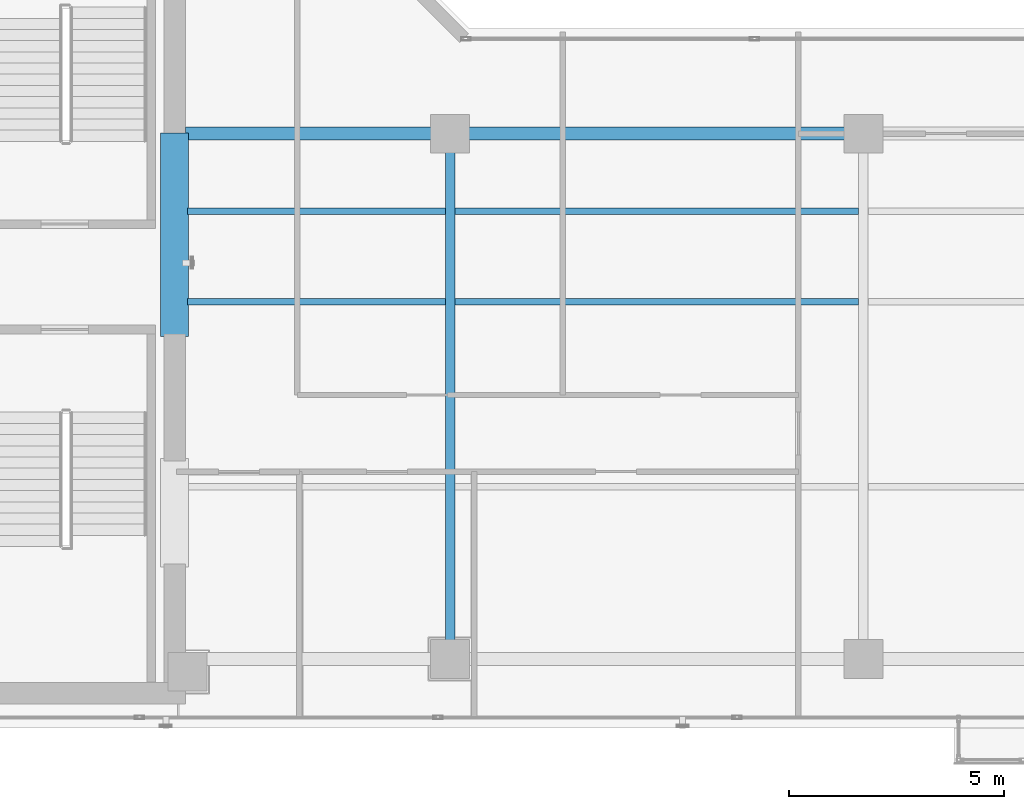
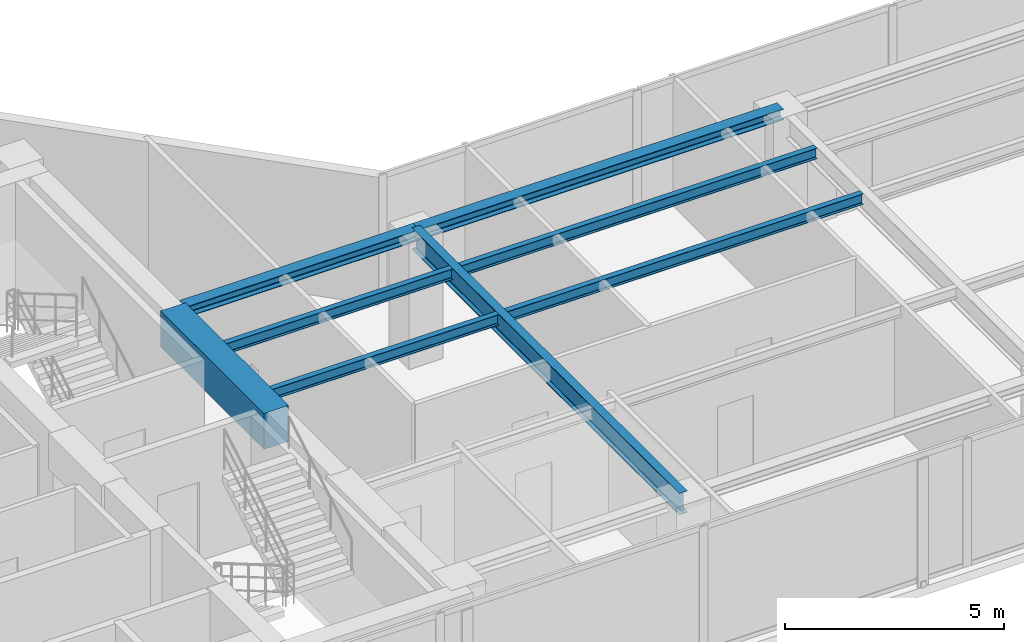
# One storey, part 5 of 23: 8 beams.
"""IFC4 building model written with IfcOpenShell, lengths in metres."""

import ifcopenshell
import ifcopenshell.guid

model = None  # the IFC model being written
_history = None  # IfcOwnerHistory: only IFC2X3 demands one
_inside = {}  # id of a spatial element -> (the spatial element, [elements in it])
_under = {}  # id of a project, library or spatial element -> (it, [spatial elements below it])
_declared = {}  # id of a project -> (the project, [libraries it declares])
_typed = {}  # id of a type object -> (the type object, [elements of that type])
_made_of = {}  # id of a material, layer set ... -> (it, [elements and type objects made of it])


def new_model(schema):
    """Start an empty IFC model of exactly this schema.

    Asked for "IFC4X3", IfcOpenShell would pick the latest addendum, in which some entities
    have other attributes; the version numbers below select the first issue.
    IFC2X3 requires an IfcOwnerHistory on every rooted entity: one is made here for all.
    """
    global model, _history
    if schema == "IFC4X3":
        model = ifcopenshell.file(schema_version=(4, 3, 0, 0))
    else:
        model = ifcopenshell.file(schema=schema)
    _inside.clear()
    _under.clear()
    _declared.clear()
    _typed.clear()
    _made_of.clear()
    _history = None
    if model.schema == "IFC2X3":
        org = make("IfcOrganization", Name="unknown")
        user = make(
            "IfcPersonAndOrganization",
            ThePerson=make("IfcPerson", FamilyName="unknown"),
            TheOrganization=org,
        )
        app = make(
            "IfcApplication",
            ApplicationDeveloper=org,
            Version="unknown",
            ApplicationFullName="unknown",
            ApplicationIdentifier="unknown",
        )
        _history = make(
            "IfcOwnerHistory",
            OwningUser=user,
            OwningApplication=app,
            ChangeAction="ADDED",
            CreationDate=0,
        )
    return model


def make(cls, **values):
    """One entity of the class cls with the attributes given. An attribute that is None is left unset."""
    return model.create_entity(
        cls, **{name: value for name, value in values.items() if value is not None}
    )


def rooted(cls, **values):
    """An entity with a GlobalId (a new one), such as an element, a storey or a relation."""
    return make(cls, GlobalId=ifcopenshell.guid.new(), OwnerHistory=_history, **values)


def si_unit(unit_type, name, prefix=None):
    """IfcSIUnit, for example si_unit("LENGTHUNIT", "METRE", prefix="MILLI")."""
    return make("IfcSIUnit", UnitType=unit_type, Prefix=prefix, Name=name)


def assignment(units):
    """IfcUnitAssignment: the units of a project."""
    return None if units is None else make("IfcUnitAssignment", Units=units)


def point(xyz):
    """IfcCartesianPoint."""
    return None if xyz is None else make("IfcCartesianPoint", Coordinates=xyz)


def direction(xyz):
    """IfcDirection."""
    return None if xyz is None else make("IfcDirection", DirectionRatios=xyz)


def frame(location, z_axis=None, x_axis=None):
    """IfcAxis2Placement3D, a coordinate frame: its origin and axes. An axis left out is left unset."""
    return make(
        "IfcAxis2Placement3D",
        Location=point(location),
        Axis=direction(z_axis),
        RefDirection=direction(x_axis),
    )


def frame_2d(location, x_axis=None):
    """IfcAxis2Placement2D, a coordinate frame in the plane: its origin and x axis."""
    return make(
        "IfcAxis2Placement2D", Location=point(location), RefDirection=direction(x_axis)
    )


def origin():
    """The frame at (0, 0, 0) with its axes left unset."""
    return frame((0.0, 0.0, 0.0))


def origin_2d():
    """The frame at (0, 0) in the plane with its x axis left unset."""
    return frame_2d((0.0, 0.0))


def place(relative_to, where):
    """IfcLocalPlacement: puts the frame where relative to a parent placement (None: the world)."""
    return make(
        "IfcLocalPlacement", PlacementRelTo=relative_to, RelativePlacement=where
    )


def context(
    kind, dimensions, precision=None, world=None, true_north=None, identifier=None
):
    """IfcGeometricRepresentationContext, for example the 3D "Model" context."""
    return make(
        "IfcGeometricRepresentationContext",
        ContextIdentifier=identifier,
        ContextType=kind,
        CoordinateSpaceDimension=dimensions,
        Precision=precision,
        WorldCoordinateSystem=world,
        TrueNorth=true_north,
    )


def subcontext(parent, identifier, kind, view, scale=None):
    """IfcGeometricRepresentationSubContext, for example "Body" below "Model"."""
    return make(
        "IfcGeometricRepresentationSubContext",
        ContextIdentifier=identifier,
        ContextType=kind,
        ParentContext=parent,
        TargetScale=scale,
        TargetView=view,
    )


def project(units=None, contexts=None):
    """IfcProject with its units and contexts."""
    return rooted(
        "IfcProject",
        Name="project",
        RepresentationContexts=contexts,
        UnitsInContext=assignment(units),
    )


def spatial(cls, under=None, at=None, **own):
    """A site, building, storey or space (cls), placed at a placement, below another one or the project."""
    s = rooted(cls, ObjectPlacement=at, **own)
    if under is not None:
        _under.setdefault(under.id(), (under, []))[1].append(s)
    return s


def profile(cls, at=None, kind="AREA", **sizes):
    """A parametric profile (cls). Its sizes go by their IFC names, for example OverallWidth=200.0."""
    return make(cls, ProfileType=kind, Position=at, **sizes)


def rectangle(**sizes):
    """IfcRectangleProfileDef."""
    return profile("IfcRectangleProfileDef", **sizes)


def i_section(**sizes):
    """IfcIShapeProfileDef."""
    return profile("IfcIShapeProfileDef", **sizes)


def extrude(swept, where, along, depth):
    """IfcExtrudedAreaSolid: the profile swept, set in the frame where, extruded along a direction by depth."""
    return make(
        "IfcExtrudedAreaSolid",
        SweptArea=swept,
        Position=where,
        ExtrudedDirection=direction(along),
        Depth=depth,
    )


def shape(context_of_items, identifier, shape_type, items):
    """IfcShapeRepresentation: the items that make up one representation, for example the "Body"."""
    return make(
        "IfcShapeRepresentation",
        ContextOfItems=context_of_items,
        RepresentationIdentifier=identifier,
        RepresentationType=shape_type,
        Items=items,
    )


def material(Name=None, Category=None):
    """IfcMaterial."""
    return make("IfcMaterial", Name=Name, Category=Category)


def material_profile(
    of_material, cross_section, Name=None, Category=None, Priority=None
):
    """IfcMaterialProfile: a cross section and its material."""
    return make(
        "IfcMaterialProfile",
        Name=Name,
        Material=of_material,
        Profile=cross_section,
        Priority=Priority,
        Category=Category,
    )


def profile_set(profiles, Name=None, composite=None):
    """IfcMaterialProfileSet."""
    return make(
        "IfcMaterialProfileSet",
        Name=Name,
        MaterialProfiles=profiles,
        CompositeProfile=composite,
    )


def made_of(thing, what):
    """Note that an element or type object is made of a material, layer set ...; save() writes the relation."""
    if what is not None:
        _made_of.setdefault(what.id(), (what, []))[1].append(thing)
    return thing


def type_object(cls, material=None, **own):
    """A type object (cls), such as IfcWallType, which elements share."""
    return made_of(rooted(cls, **own), material)


def element(
    cls,
    number,
    at=None,
    inside=None,
    cuts=None,
    type_object=None,
    material=None,
    context=None,
    identifier="Body",
    shape_type=None,
    held_by="IfcProductDefinitionShape",
    body=None,
    shapes=None,
    **own,
):
    """One element of the class cls, such as IfcWall. Its Tag is "e" and its number.

    at: its placement. inside: the storey or other place that contains it. cuts: it is an
    opening in that element (IfcRelVoidsElement). A single representation is given by context,
    identifier, shape_type and body (its items); several are given by shapes. held_by: the class
    of the entity that holds the representations. save() writes the other relations.
    """
    e = rooted(cls, Tag="e%d" % number, ObjectPlacement=at, **own)
    if body is not None:
        shapes = [shape(context, identifier, shape_type, body)]
    if shapes is not None:
        e.Representation = make(held_by, Representations=shapes)
    if inside is not None:
        _inside.setdefault(inside.id(), (inside, []))[1].append(e)
    if cuts is not None:
        rooted(
            "IfcRelVoidsElement", RelatingBuildingElement=cuts, RelatedOpeningElement=e
        )
    if type_object is not None:
        _typed.setdefault(type_object.id(), (type_object, []))[1].append(e)
    return made_of(e, material)


def aggregate(whole, parts):
    """IfcRelAggregates: a whole, such as a stair, and the parts it consists of."""
    return rooted("IfcRelAggregates", RelatingObject=whole, RelatedObjects=parts)


def save(model, path):
    """Write the relations noted so far, then the file.

    IfcRelAggregates (storeys below a building ...), IfcRelContainedInSpatialStructure (elements
    in a storey), IfcRelDefinesByType, IfcRelAssociatesMaterial and IfcRelDeclares: one each for
    every whole, place, type object, material and project.
    """
    for whole, parts in _under.values():
        aggregate(whole, parts)
    for where, things in _inside.values():
        rooted(
            "IfcRelContainedInSpatialStructure",
            RelatedElements=things,
            RelatingStructure=where,
        )
    for kind, things in _typed.values():
        rooted("IfcRelDefinesByType", RelatedObjects=things, RelatingType=kind)
    for what, things in _made_of.values():
        rooted("IfcRelAssociatesMaterial", RelatedObjects=things, RelatingMaterial=what)
    for by, libraries in _declared.values():
        rooted("IfcRelDeclares", RelatingContext=by, RelatedDefinitions=libraries)
    model.write(path)


model = new_model("IFC4")

# Units and contexts
model_context = context("Model", 3, precision=1e-05, world=origin(), true_north=direction((0.0, 1.0)))
body_context = subcontext(model_context, "Body", "Model", "MODEL_VIEW")
ifc_project = project(units=[si_unit("LENGTHUNIT", "METRE"), si_unit("AREAUNIT", "SQUARE_METRE"), si_unit("VOLUMEUNIT", "CUBIC_METRE"), si_unit("PLANEANGLEUNIT", "RADIAN"), si_unit("MASSUNIT", "GRAM", prefix="KILO")], contexts=[model_context])

# Site, building, storey
site_placement = place(None, origin())
site = spatial("IfcSite", under=ifc_project, at=site_placement, CompositionType="ELEMENT")
building_placement = place(site_placement, origin())
building = spatial("IfcBuilding", under=site, at=building_placement, Name="Kolvaren Waterfront Exchange", CompositionType="ELEMENT")
storey_placement = place(building_placement, frame((0.0, 0.0, 319.800048828125)))
storey = spatial("IfcBuildingStorey", under=building, at=storey_placement, Name="L82", CompositionType="ELEMENT", Elevation=319.800048828125)

# Beams
ifc_material_1 = material(Name="Steel S355", Category="steel")
ifc_material_profile_1 = material_profile(ifc_material_1, i_section(OverallWidth=0.300048828125, OverallDepth=0.300048828125, WebThickness=0.010986328125, FlangeThickness=0.01904296875, FilletRadius=0.027099609375, at=origin_2d()), Name="HEB300")
ifc_profile_set_1 = profile_set([ifc_material_profile_1], Name="Steel S355")
beam_type_1 = type_object("IfcBeamType", Name="STR-BM-HEB300", PredefinedType="SPANDREL", material=ifc_profile_set_1)
beam_1_placement = place(storey_placement, frame((21.050048828125, 17.39990234375, 3.409912109375), z_axis=(1.0, 0.0, 0.0), x_axis=(0.0, 1.0, 0.0)))
element("IfcBeam", 1, at=beam_1_placement, inside=storey, type_object=beam_type_1, Name="L82 east-arm spandrel N1", PredefinedType="SPANDREL", context=body_context, shape_type="SweptSolid", body=[
    extrude(i_section(OverallWidth=0.300048828125, OverallDepth=0.300048828125, WebThickness=0.010986328125, FlangeThickness=0.01904296875, FilletRadius=0.027099609375, at=origin_2d()), origin(), (0.0, 0.0, 1.0), 6.14990234375),
])
beam_2_placement = place(storey_placement, frame((27.199951171875, 17.39990234375, 3.409912109375), z_axis=(1.0, 0.0, 0.0), x_axis=(0.0, 1.0, 0.0)))
element("IfcBeam", 2, at=beam_2_placement, inside=storey, type_object=beam_type_1, Name="L82 east-arm spandrel N2", PredefinedType="SPANDREL", context=body_context, shape_type="SweptSolid", body=[
    extrude(i_section(OverallWidth=0.300048828125, OverallDepth=0.300048828125, WebThickness=0.010986328125, FlangeThickness=0.01904296875, FilletRadius=0.027099609375, at=origin_2d()), origin(), (0.0, 0.0, 1.0), 9.60009765625),
])
ifc_material_profile_2 = material_profile(ifc_material_1, i_section(OverallWidth=0.14990234375, OverallDepth=0.300048828125, WebThickness=0.007080078125, FlangeThickness=0.0107421875, FilletRadius=0.014892578125, at=origin_2d()), Name="IPE300")
ifc_profile_set_2 = profile_set([ifc_material_profile_2], Name="Steel S355")
beam_type_2 = type_object("IfcBeamType", Name="STR-BM-IPE300", PredefinedType="JOIST", material=ifc_profile_set_2)
for number, where, z_axis, x_axis, name in (
    (3, (21.10009765625, 13.5, 3.409912109375), (1.0, 0.0, 0.0), (0.0, 1.0, 0.0), "L82 east-arm composite joist 1A"),
    (4, (21.10009765625, 15.60009765625, 3.409912109375), (1.0, 0.0, 0.0), (0.0, 1.0, 0.0), "L82 east-arm composite joist 1C"),
):
    element("IfcBeam", number, at=place(storey_placement, frame(where, z_axis=z_axis, x_axis=x_axis)), inside=storey, type_object=beam_type_2, Name=name, PredefinedType="JOIST", context=body_context, shape_type="SweptSolid", body=[
        extrude(i_section(OverallWidth=0.14990234375, OverallDepth=0.300048828125, WebThickness=0.007080078125, FlangeThickness=0.0107421875, FilletRadius=0.014892578125, at=origin_2d()), origin(), (0.0, 0.0, 1.0), 5.98779296875),
    ])
for number, where, z_axis, x_axis, name in (
    (5, (27.31201171875, 13.5, 3.409912109375), (1.0, 0.0, 0.0), (0.0, 1.0, 0.0), "L82 east-arm composite joist 2A"),
    (6, (27.31201171875, 15.60009765625, 3.409912109375), (1.0, 0.0, 0.0), (0.0, 1.0, 0.0), "L82 east-arm composite joist 2C"),
):
    element("IfcBeam", number, at=place(storey_placement, frame(where, z_axis=z_axis, x_axis=x_axis)), inside=storey, type_object=beam_type_2, Name=name, PredefinedType="JOIST", context=body_context, shape_type="SweptSolid", body=[
        extrude(i_section(OverallWidth=0.14990234375, OverallDepth=0.300048828125, WebThickness=0.007080078125, FlangeThickness=0.0107421875, FilletRadius=0.014892578125, at=origin_2d()), origin(), (0.0, 0.0, 1.0), 9.3759765625),
    ])
ifc_material_profile_3 = material_profile(ifc_material_1, i_section(OverallWidth=0.219970703125, OverallDepth=0.60009765625, WebThickness=0.011962890625, FlangeThickness=0.01904296875, FilletRadius=0.02392578125, at=origin_2d()), Name="IPE600")
ifc_profile_set_3 = profile_set([ifc_material_profile_3], Name="Steel S355")
beam_type_3 = type_object("IfcBeamType", Name="STR-BM-IPE600", PredefinedType="BEAM", material=ifc_profile_set_3)
beam_3_placement = place(storey_placement, frame((27.199951171875, 5.199951171875, 3.260009765625), z_axis=(0.0, 1.0, 0.0), x_axis=(-1.0, 0.0, 0.0)))
element("IfcBeam", 7, at=beam_3_placement, inside=storey, type_object=beam_type_3, Name="L82 east-arm transverse girder X27", PredefinedType="BEAM", context=body_context, shape_type="SweptSolid", body=[
    extrude(i_section(OverallWidth=0.219970703125, OverallDepth=0.60009765625, WebThickness=0.011962890625, FlangeThickness=0.01904296875, FilletRadius=0.02392578125, at=origin_2d()), origin(), (0.0, 0.0, 1.0), 12.199951171875),
])
ifc_material_2 = material(Name="Concrete C60/75", Category="concrete")
ifc_material_profile_4 = material_profile(ifc_material_2, rectangle(XDim=0.64990234375, YDim=1.0, at=origin_2d()), Name="RC-CB-1000x650")
ifc_profile_set_4 = profile_set([ifc_material_profile_4], Name="Concrete C60/75")
beam_type_4 = type_object("IfcBeamType", Name="STR-CB-1000", PredefinedType="SPANDREL", material=ifc_profile_set_4)
beam_4_placement = place(storey_placement, frame((20.800048828125, 12.68994140625, 3.06005859375), z_axis=(0.0, 1.0, 0.0), x_axis=(-1.0, 0.0, 0.0)))
element("IfcBeam", 8, at=beam_4_placement, inside=storey, type_object=beam_type_4, Name="L82 core coupling beam 2", PredefinedType="SPANDREL", context=body_context, shape_type="SweptSolid", body=[
    extrude(rectangle(XDim=0.64990234375, YDim=1.0, at=origin_2d()), origin(), (0.0, 0.0, 1.0), 4.719970703125),
])

save(model, "model.ifc")
